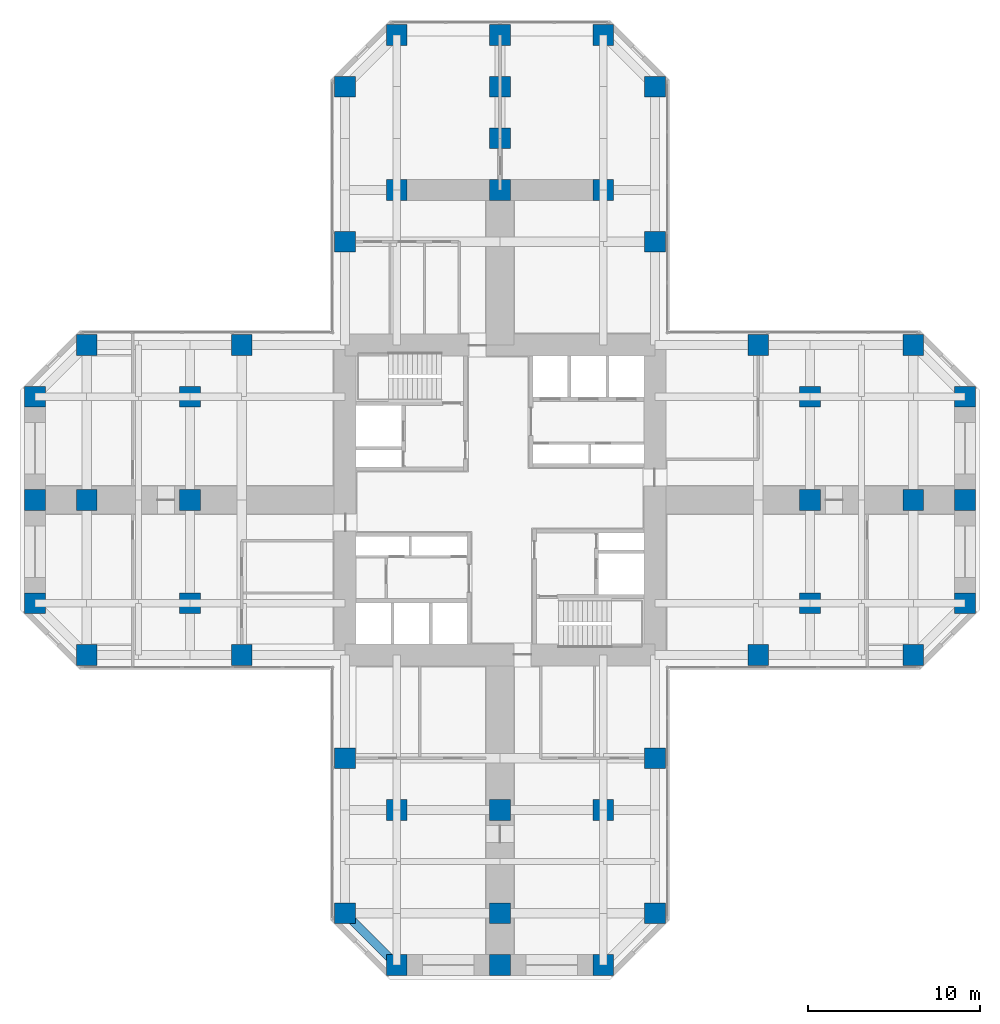
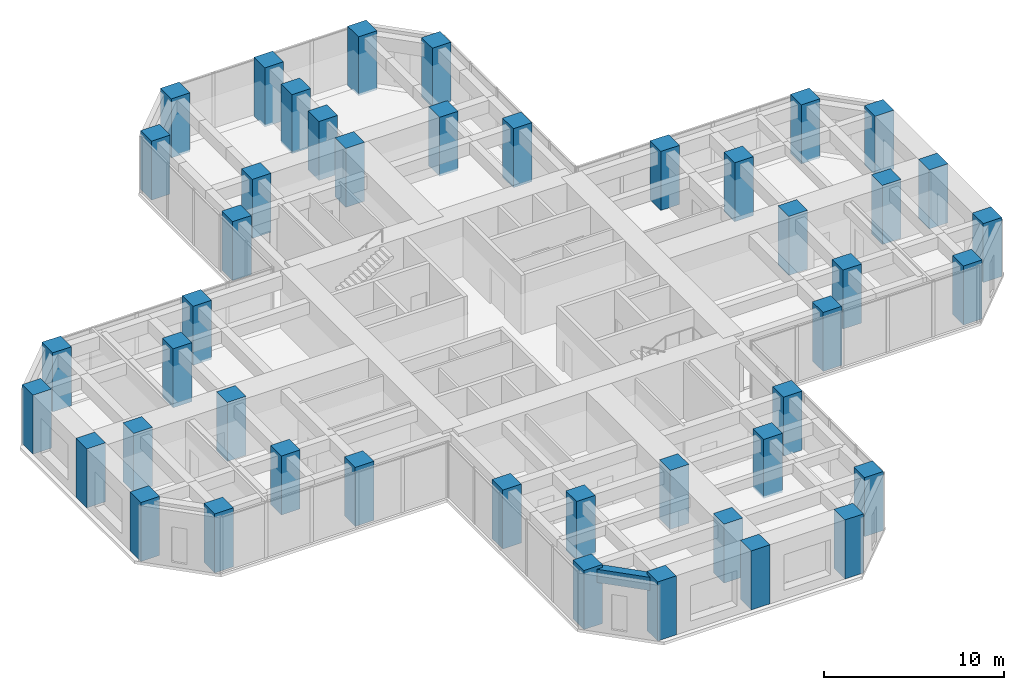
# One storey, part 1 of 12: 45 columns, 1 beam.
"""IFC4 building model written with IfcOpenShell, lengths in metres."""

from ifc_helpers import new_model, si_unit, direction, frame, origin, origin_2d, place, context, subcontext, project, spatial, rectangle, extrude, material, material_profile, profile_set, type_object, element, save


model = new_model("IFC4")

# Units and contexts
model_context = context("Model", 3, precision=1e-05, world=origin(), true_north=direction((0.0, 1.0)))
body_context = subcontext(model_context, "Body", "Model", "MODEL_VIEW")
ifc_project = project(units=[si_unit("LENGTHUNIT", "METRE"), si_unit("AREAUNIT", "SQUARE_METRE"), si_unit("VOLUMEUNIT", "CUBIC_METRE"), si_unit("PLANEANGLEUNIT", "RADIAN"), si_unit("MASSUNIT", "GRAM", prefix="KILO")], contexts=[model_context])

# Site, building, storey
site_placement = place(None, origin())
site = spatial("IfcSite", under=ifc_project, at=site_placement, CompositionType="ELEMENT")
building_placement = place(site_placement, origin())
building = spatial("IfcBuilding", under=site, at=building_placement, Name="Torre Cruceta", CompositionType="ELEMENT")
storey_placement = place(building_placement, frame((0.0, 0.0, 39.5)))
storey = spatial("IfcBuildingStorey", under=building, at=storey_placement, Name="L09", CompositionType="ELEMENT", Elevation=39.5)

# Columns
ifc_material_1 = material(Name="Concrete G60 (fck 60 MPa)", Category="concrete")
ifc_material_profile_1 = material_profile(ifc_material_1, rectangle(XDim=1.199951171875, YDim=1.199951171875, at=origin_2d()), Name="RC 1200X1200")
ifc_profile_set_1 = profile_set([ifc_material_profile_1], Name="Concrete G60 (fck 60 MPa)")
column_type = type_object("IfcColumnType", Name="COLUMN RC 1200X1200", PredefinedType="COLUMN", material=ifc_profile_set_1)
for number, where, z_axis, x_axis, name in (
    (1, (9.0, 15.0, 0.0), (0.0, 0.0, 1.0), (1.0, 0.0, 0.0), "C3 L09 N side"),
    (2, (9.0, 24.0, 0.0), (0.0, 0.0, 1.0), (1.0, 0.0, 0.0), "C3 L09 N chamfer"),
    (3, (-9.0, 15.0, 0.0), (0.0, 0.0, 1.0), (1.0, 0.0, 0.0), "C3 L09 N side"),
    (4, (-9.0, 24.0, 0.0), (0.0, 0.0, 1.0), (1.0, 0.0, 0.0), "C3 L09 N chamfer"),
    (5, (6.0, 27.0, 0.0), (0.0, 0.0, 1.0), (1.0, 0.0, 0.0), "C3 L09 N tip"),
    (6, (0.0, 27.0, 0.0), (0.0, 0.0, 1.0), (1.0, 0.0, 0.0), "C3 L09 N tip"),
    (7, (-6.0, 27.0, 0.0), (0.0, 0.0, 1.0), (1.0, 0.0, 0.0), "C3 L09 N tip"),
    (8, (15.0, -9.0, 0.0), (0.0, 0.0, 1.0), (1.0, 0.0, 0.0), "C3 L09 E side"),
    (9, (24.0, -9.0, 0.0), (0.0, 0.0, 1.0), (1.0, 0.0, 0.0), "C3 L09 E chamfer"),
    (10, (15.0, 9.0, 0.0), (0.0, 0.0, 1.0), (1.0, 0.0, 0.0), "C3 L09 E side"),
    (11, (24.0, 9.0, 0.0), (0.0, 0.0, 1.0), (1.0, 0.0, 0.0), "C3 L09 E chamfer"),
    (12, (27.0, -6.0, 0.0), (0.0, 0.0, 1.0), (1.0, 0.0, 0.0), "C3 L09 E tip"),
    (13, (27.0, 0.0, 0.0), (0.0, 0.0, 1.0), (1.0, 0.0, 0.0), "C3 L09 E tip"),
    (14, (27.0, 6.0, 0.0), (0.0, 0.0, 1.0), (1.0, 0.0, 0.0), "C3 L09 E tip"),
    (15, (-9.0, -15.0, 0.0), (0.0, 0.0, 1.0), (1.0, 0.0, 0.0), "C3 L09 S side"),
    (16, (-9.0, -24.0, 0.0), (0.0, 0.0, 1.0), (1.0, 0.0, 0.0), "C3 L09 S chamfer"),
    (17, (9.0, -15.0, 0.0), (0.0, 0.0, 1.0), (1.0, 0.0, 0.0), "C3 L09 S side"),
    (18, (9.0, -24.0, 0.0), (0.0, 0.0, 1.0), (1.0, 0.0, 0.0), "C3 L09 S chamfer"),
    (19, (-6.0, -27.0, 0.0), (0.0, 0.0, 1.0), (1.0, 0.0, 0.0), "C3 L09 S tip"),
    (20, (0.0, -27.0, 0.0), (0.0, 0.0, 1.0), (1.0, 0.0, 0.0), "C3 L09 S tip"),
    (21, (6.0, -27.0, 0.0), (0.0, 0.0, 1.0), (1.0, 0.0, 0.0), "C3 L09 S tip"),
    (22, (-15.0, 9.0, 0.0), (0.0, 0.0, 1.0), (1.0, 0.0, 0.0), "C3 L09 W side"),
    (23, (-24.0, 9.0, 0.0), (0.0, 0.0, 1.0), (1.0, 0.0, 0.0), "C3 L09 W chamfer"),
    (24, (-15.0, -9.0, 0.0), (0.0, 0.0, 1.0), (1.0, 0.0, 0.0), "C3 L09 W side"),
    (25, (-24.0, -9.0, 0.0), (0.0, 0.0, 1.0), (1.0, 0.0, 0.0), "C3 L09 W chamfer"),
    (26, (-27.0, 6.0, 0.0), (0.0, 0.0, 1.0), (1.0, 0.0, 0.0), "C3 L09 W tip"),
    (27, (-27.0, 0.0, 0.0), (0.0, 0.0, 1.0), (1.0, 0.0, 0.0), "C3 L09 W tip"),
    (28, (-27.0, -6.0, 0.0), (0.0, 0.0, 1.0), (1.0, 0.0, 0.0), "C3 L09 W tip"),
    (29, (6.0, 18.0, 0.0), (0.0, 0.0, 1.0), (1.0, 0.0, 0.0), "C3 L09 N interior"),
    (30, (0.0, 18.0, 0.0), (0.0, 0.0, 1.0), (1.0, 0.0, 0.0), "C3 L09 N interior"),
    (31, (-6.0, 18.0, 0.0), (0.0, 0.0, 1.0), (1.0, 0.0, 0.0), "C3 L09 N interior"),
    (32, (0.0, 21.0, 0.0), (0.0, 0.0, 1.0), (1.0, 0.0, 0.0), "C3 L09 N interior"),
    (33, (0.0, 24.0, 0.0), (0.0, 0.0, 1.0), (1.0, 0.0, 0.0), "C3 L09 N interior"),
    (34, (18.0, -6.0, 0.0), (0.0, 0.0, 1.0), (1.0, 0.0, 0.0), "C3 L09 E interior"),
    (35, (18.0, 0.0, 0.0), (0.0, 0.0, 1.0), (1.0, 0.0, 0.0), "C3 L09 E interior"),
    (36, (18.0, 6.0, 0.0), (0.0, 0.0, 1.0), (1.0, 0.0, 0.0), "C3 L09 E interior"),
    (37, (24.0, 0.0, 0.0), (0.0, 0.0, 1.0), (1.0, 0.0, 0.0), "C3 L09 E interior"),
    (38, (-6.0, -18.0, 0.0), (0.0, 0.0, 1.0), (1.0, 0.0, 0.0), "C3 L09 S interior"),
    (39, (0.0, -18.0, 0.0), (0.0, 0.0, 1.0), (1.0, 0.0, 0.0), "C3 L09 S interior"),
    (40, (6.0, -18.0, 0.0), (0.0, 0.0, 1.0), (1.0, 0.0, 0.0), "C3 L09 S interior"),
    (41, (0.0, -24.0, 0.0), (0.0, 0.0, 1.0), (1.0, 0.0, 0.0), "C3 L09 S interior"),
    (42, (-18.0, 6.0, 0.0), (0.0, 0.0, 1.0), (1.0, 0.0, 0.0), "C3 L09 W interior"),
    (43, (-18.0, 0.0, 0.0), (0.0, 0.0, 1.0), (1.0, 0.0, 0.0), "C3 L09 W interior"),
    (44, (-18.0, -6.0, 0.0), (0.0, 0.0, 1.0), (1.0, 0.0, 0.0), "C3 L09 W interior"),
    (45, (-24.0, 0.0, 0.0), (0.0, 0.0, 1.0), (1.0, 0.0, 0.0), "C3 L09 W interior"),
):
    element("IfcColumn", number, at=place(storey_placement, frame(where, z_axis=z_axis, x_axis=x_axis)), inside=storey, type_object=column_type, Name=name, PredefinedType="COLUMN", context=body_context, shape_type="SweptSolid", body=[
        extrude(rectangle(XDim=1.199951171875, YDim=1.199951171875, at=origin_2d()), origin(), (0.0, 0.0, 1.0), 4.0),
    ])

# Beam
ifc_material_2 = material(Name="Concrete G60 (fck 60 MPa)", Category="concrete")
ifc_material_profile_2 = material_profile(ifc_material_2, rectangle(XDim=0.5, YDim=0.89990234375, at=origin_2d()), Name="RC 500X900")
ifc_profile_set_2 = profile_set([ifc_material_profile_2], Name="Concrete G60 (fck 60 MPa)")
beam_type = type_object("IfcBeamType", Name="SPANDREL BEAM RC 500X900", PredefinedType="SPANDREL", material=ifc_profile_set_2)
beam_placement = place(storey_placement, frame((-9.0, -24.0, 3.35009765625), z_axis=(0.707106781187, -0.707106781187, 0.0), x_axis=(0.707106781187, 0.707106781187, 0.0)))
element("IfcBeam", 46, at=beam_placement, inside=storey, type_object=beam_type, Name="SB4 L09 S side- 5", PredefinedType="SPANDREL", context=body_context, shape_type="SweptSolid", body=[
    extrude(rectangle(XDim=0.5, YDim=0.89990234375, at=origin_2d()), origin(), (0.0, 0.0, 1.0), 4.24267578125),
])

save(model, "model.ifc")
